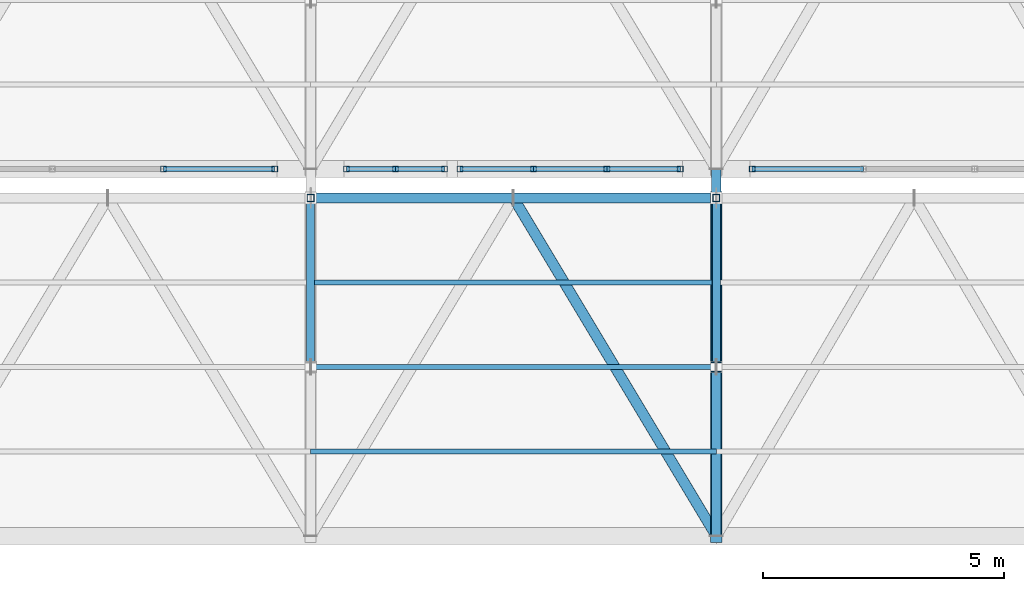
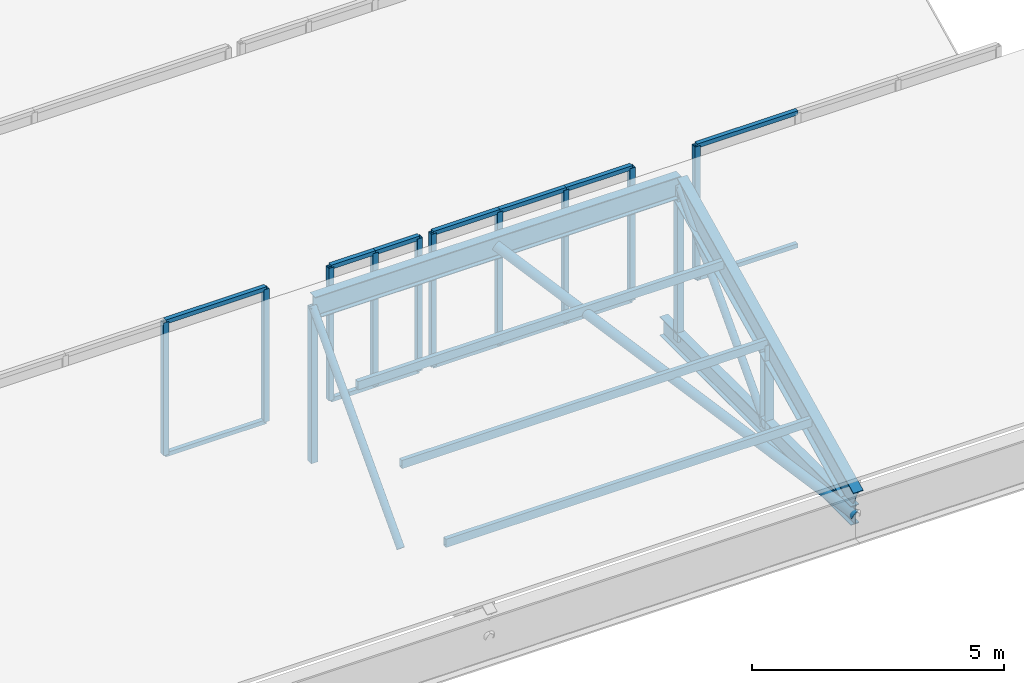
# One storey, part 24 of 57: 36 members, 4 elements without a shape of their own.
"""IFC4 building model written with IfcOpenShell, lengths in metres."""

from ifc_helpers import new_model, si_unit, direction, frame, origin, origin_2d, place, context, subcontext, project, spatial, hollow_rectangle, hollow_circle, i_section, extrude, material, material_profile, profile_set, type_object, element, aggregate, save


model = new_model("IFC4")

# Units and contexts
model_context = context("Model", 3, precision=1e-05, world=origin(), true_north=direction((0.0, 1.0)))
body_context = subcontext(model_context, "Body", "Model", "MODEL_VIEW")
ifc_project = project(units=[si_unit("LENGTHUNIT", "METRE"), si_unit("AREAUNIT", "SQUARE_METRE"), si_unit("VOLUMEUNIT", "CUBIC_METRE"), si_unit("PLANEANGLEUNIT", "RADIAN"), si_unit("MASSUNIT", "GRAM", prefix="KILO")], contexts=[model_context])

# Site, building, storey
site_placement = place(None, origin())
site = spatial("IfcSite", under=ifc_project, at=site_placement, CompositionType="ELEMENT")
building_placement = place(site_placement, origin())
building = spatial("IfcBuilding", under=site, at=building_placement, Name="Zuvorla Pavilion Media Centre", CompositionType="ELEMENT")
storey_placement = place(building_placement, frame((0.0, 0.0, 18.0)))
storey = spatial("IfcBuildingStorey", under=building, at=storey_placement, Name="L04", CompositionType="ELEMENT", Elevation=18.0)

# Curtain wall, members
ifc_material_1 = material(Name="Unitised anodised aluminium and solar glass curtain wall", Category="aluminium")
curtain_wall_type_1 = type_object("IfcCurtainWallType", Name="CW-SYS-92", PredefinedType="USERDEFINED", material=ifc_material_1)
curtain_wall_1_placement = place(storey_placement, origin())
curtain_wall_1 = element("IfcCurtainWall", 1, at=curtain_wall_1_placement, inside=storey, type_object=curtain_wall_type_1, Name="L04 curtain wall CW92 226", ObjectType="CURTAIN WALL", PredefinedType="USERDEFINED")
ifc_material_2 = material(Name="Anodised aluminium 6063-T6", Category="aluminium")
ifc_material_profile_1 = material_profile(ifc_material_2, hollow_rectangle(XDim=0.1201171875, YDim=0.1201171875, WallThickness=0.0048828125, at=origin_2d()), Name="ALU MULL 120x120")
ifc_profile_set_1 = profile_set([ifc_material_profile_1], Name="Anodised aluminium 6063-T6")
member_type_1 = type_object("IfcMemberType", Name="CW-MULL-120", PredefinedType="MULLION", material=ifc_profile_set_1)
member_1_placement = place(storey_placement, frame((139.351806640625, 13.60009765625, 0.0), z_axis=(0.0, 0.0, 1.0), x_axis=(1.0, 0.0, 0.0)))
member_1 = element("IfcMember", 2, at=member_1_placement, type_object=member_type_1, Name="CW92 mullion 3", PredefinedType="MULLION", context=body_context, shape_type="SweptSolid", body=[
    extrude(hollow_rectangle(XDim=0.1201171875, YDim=0.1201171875, WallThickness=0.0048828125, at=origin_2d()), origin(), (0.0, 0.0, 1.0), 3.219970703125),
])
member_2_placement = place(storey_placement, frame((141.65576171875, 13.60009765625, 0.0), z_axis=(0.0, 0.0, 1.0), x_axis=(1.0, 0.0, 0.0)))
member_2 = element("IfcMember", 3, at=member_2_placement, type_object=member_type_1, Name="CW92 mullion 4", PredefinedType="MULLION", context=body_context, shape_type="SweptSolid", body=[
    extrude(hollow_rectangle(XDim=0.1201171875, YDim=0.1201171875, WallThickness=0.0048828125, at=origin_2d()), origin(), (0.0, 0.0, 1.0), 3.219970703125),
])

curtain_wall_type_2 = type_object("IfcCurtainWallType", Name="CW-SYS-93", PredefinedType="USERDEFINED", material=ifc_material_1)
curtain_wall_2_placement = place(storey_placement, origin())
curtain_wall_2 = element("IfcCurtainWall", 4, at=curtain_wall_2_placement, inside=storey, type_object=curtain_wall_type_2, Name="L04 curtain wall CW93 227", ObjectType="CURTAIN WALL", PredefinedType="USERDEFINED")
member_3_placement = place(storey_placement, frame((143.144287109375, 13.60009765625, 0.0), z_axis=(0.0, 0.0, 1.0), x_axis=(1.0, 0.0, 0.0)))
member_3 = element("IfcMember", 5, at=member_3_placement, type_object=member_type_1, Name="CW93 mullion 1", PredefinedType="MULLION", context=body_context, shape_type="SweptSolid", body=[
    extrude(hollow_rectangle(XDim=0.1201171875, YDim=0.1201171875, WallThickness=0.0048828125, at=origin_2d()), origin(), (0.0, 0.0, 1.0), 3.219970703125),
])
member_4_placement = place(storey_placement, frame((144.15869140625, 13.60009765625, 0.0), z_axis=(0.0, 0.0, 1.0), x_axis=(1.0, 0.0, 0.0)))
member_4 = element("IfcMember", 6, at=member_4_placement, type_object=member_type_1, Name="CW93 mullion 2", PredefinedType="MULLION", context=body_context, shape_type="SweptSolid", body=[
    extrude(hollow_rectangle(XDim=0.1201171875, YDim=0.1201171875, WallThickness=0.0048828125, at=origin_2d()), origin(), (0.0, 0.0, 1.0), 3.219970703125),
])
member_5_placement = place(storey_placement, frame((145.17333984375, 13.60009765625, 0.0), z_axis=(0.0, 0.0, 1.0), x_axis=(1.0, 0.0, 0.0)))
member_5 = element("IfcMember", 7, at=member_5_placement, type_object=member_type_1, Name="CW93 mullion 3", PredefinedType="MULLION", context=body_context, shape_type="SweptSolid", body=[
    extrude(hollow_rectangle(XDim=0.1201171875, YDim=0.1201171875, WallThickness=0.0048828125, at=origin_2d()), origin(), (0.0, 0.0, 1.0), 3.219970703125),
])

curtain_wall_type_3 = type_object("IfcCurtainWallType", Name="CW-SYS-94", PredefinedType="USERDEFINED", material=ifc_material_1)
curtain_wall_3_placement = place(storey_placement, origin())
curtain_wall_3 = element("IfcCurtainWall", 8, at=curtain_wall_3_placement, inside=storey, type_object=curtain_wall_type_3, Name="L04 curtain wall CW94 228", ObjectType="CURTAIN WALL", PredefinedType="USERDEFINED")
member_6_placement = place(storey_placement, frame((145.493408203125, 13.60009765625, 0.0), z_axis=(0.0, 0.0, 1.0), x_axis=(1.0, 0.0, 0.0)))
member_6 = element("IfcMember", 9, at=member_6_placement, type_object=member_type_1, Name="CW94 mullion 1", PredefinedType="MULLION", context=body_context, shape_type="SweptSolid", body=[
    extrude(hollow_rectangle(XDim=0.1201171875, YDim=0.1201171875, WallThickness=0.0048828125, at=origin_2d()), origin(), (0.0, 0.0, 1.0), 3.219970703125),
])
member_7_placement = place(storey_placement, frame((147.01416015625, 13.60009765625, 0.0), z_axis=(0.0, 0.0, 1.0), x_axis=(1.0, 0.0, 0.0)))
member_7 = element("IfcMember", 10, at=member_7_placement, type_object=member_type_1, Name="CW94 mullion 2", PredefinedType="MULLION", context=body_context, shape_type="SweptSolid", body=[
    extrude(hollow_rectangle(XDim=0.1201171875, YDim=0.1201171875, WallThickness=0.0048828125, at=origin_2d()), origin(), (0.0, 0.0, 1.0), 3.219970703125),
])
member_8_placement = place(storey_placement, frame((148.534912109375, 13.60009765625, 0.0), z_axis=(0.0, 0.0, 1.0), x_axis=(1.0, 0.0, 0.0)))
member_8 = element("IfcMember", 11, at=member_8_placement, type_object=member_type_1, Name="CW94 mullion 3", PredefinedType="MULLION", context=body_context, shape_type="SweptSolid", body=[
    extrude(hollow_rectangle(XDim=0.1201171875, YDim=0.1201171875, WallThickness=0.0048828125, at=origin_2d()), origin(), (0.0, 0.0, 1.0), 3.219970703125),
])
member_9_placement = place(storey_placement, frame((150.0556640625, 13.60009765625, 0.0), z_axis=(0.0, 0.0, 1.0), x_axis=(1.0, 0.0, 0.0)))
member_9 = element("IfcMember", 12, at=member_9_placement, type_object=member_type_1, Name="CW94 mullion 4", PredefinedType="MULLION", context=body_context, shape_type="SweptSolid", body=[
    extrude(hollow_rectangle(XDim=0.1201171875, YDim=0.1201171875, WallThickness=0.0048828125, at=origin_2d()), origin(), (0.0, 0.0, 1.0), 3.219970703125),
])

# Curtain wall, member
curtain_wall_4_placement = place(storey_placement, origin())
curtain_wall_4 = element("IfcCurtainWall", 13, at=curtain_wall_4_placement, inside=storey, type_object=curtain_wall_type_1, Name="L04 curtain wall CW92 229", ObjectType="CURTAIN WALL", PredefinedType="USERDEFINED")
member_10_placement = place(storey_placement, frame((151.544189453125, 13.60009765625, 0.0), z_axis=(0.0, 0.0, 1.0), x_axis=(1.0, 0.0, 0.0)))
member_10 = element("IfcMember", 14, at=member_10_placement, type_object=member_type_1, Name="CW92 mullion 1", PredefinedType="MULLION", context=body_context, shape_type="SweptSolid", body=[
    extrude(hollow_rectangle(XDim=0.1201171875, YDim=0.1201171875, WallThickness=0.0048828125, at=origin_2d()), origin(), (0.0, 0.0, 1.0), 3.219970703125),
])

# Member
ifc_material_profile_2 = material_profile(ifc_material_2, hollow_rectangle(XDim=0.10009765625, YDim=0.10009765625, WallThickness=0.00439453125, at=origin_2d()), Name="ALU TRAN 100x100")
ifc_profile_set_2 = profile_set([ifc_material_profile_2], Name="Anodised aluminium 6063-T6")
member_type_2 = type_object("IfcMemberType", Name="CW-TRAN-100", PredefinedType="USERDEFINED", material=ifc_profile_set_2)
member_11_placement = place(storey_placement, frame((139.351806640625, 13.60009765625, 0.0), z_axis=(1.0, 0.0, 0.0), x_axis=(0.0, 1.0, 0.0)))
member_11 = element("IfcMember", 15, at=member_11_placement, type_object=member_type_2, Name="CW92 transom 3.1", ObjectType="TRANSOM", PredefinedType="USERDEFINED", context=body_context, shape_type="SweptSolid", body=[
    extrude(hollow_rectangle(XDim=0.10009765625, YDim=0.10009765625, WallThickness=0.00439453125, at=origin_2d()), origin(), (0.0, 0.0, 1.0), 2.303955078125),
])

member_12_placement = place(storey_placement, frame((139.351806640625, 13.60009765625, 3.219970703125), z_axis=(1.0, 0.0, 0.0), x_axis=(0.0, 1.0, 0.0)))
member_12 = element("IfcMember", 16, at=member_12_placement, type_object=member_type_2, Name="CW92 transom 3.2", ObjectType="TRANSOM", PredefinedType="USERDEFINED", context=body_context, shape_type="SweptSolid", body=[
    extrude(hollow_rectangle(XDim=0.10009765625, YDim=0.10009765625, WallThickness=0.00439453125, at=origin_2d()), origin(), (0.0, 0.0, 1.0), 2.303955078125),
])

aggregate(curtain_wall_1, [member_1, member_2, member_11, member_12])

member_13_placement = place(storey_placement, frame((143.144287109375, 13.60009765625, 0.0), z_axis=(1.0, 0.0, 0.0), x_axis=(0.0, 1.0, 0.0)))
member_13 = element("IfcMember", 17, at=member_13_placement, type_object=member_type_2, Name="CW93 transom 1.1", ObjectType="TRANSOM", PredefinedType="USERDEFINED", context=body_context, shape_type="SweptSolid", body=[
    extrude(hollow_rectangle(XDim=0.10009765625, YDim=0.10009765625, WallThickness=0.00439453125, at=origin_2d()), origin(), (0.0, 0.0, 1.0), 1.014404296875),
])

member_14_placement = place(storey_placement, frame((143.144287109375, 13.60009765625, 3.219970703125), z_axis=(1.0, 0.0, 0.0), x_axis=(0.0, 1.0, 0.0)))
member_14 = element("IfcMember", 18, at=member_14_placement, type_object=member_type_2, Name="CW93 transom 1.2", ObjectType="TRANSOM", PredefinedType="USERDEFINED", context=body_context, shape_type="SweptSolid", body=[
    extrude(hollow_rectangle(XDim=0.10009765625, YDim=0.10009765625, WallThickness=0.00439453125, at=origin_2d()), origin(), (0.0, 0.0, 1.0), 1.014404296875),
])

member_15_placement = place(storey_placement, frame((144.15869140625, 13.60009765625, 0.0), z_axis=(1.0, 0.0, 0.0), x_axis=(0.0, 1.0, 0.0)))
member_15 = element("IfcMember", 19, at=member_15_placement, type_object=member_type_2, Name="CW93 transom 2.1", ObjectType="TRANSOM", PredefinedType="USERDEFINED", context=body_context, shape_type="SweptSolid", body=[
    extrude(hollow_rectangle(XDim=0.10009765625, YDim=0.10009765625, WallThickness=0.00439453125, at=origin_2d()), origin(), (0.0, 0.0, 1.0), 1.0146484375),
])

member_16_placement = place(storey_placement, frame((144.15869140625, 13.60009765625, 3.219970703125), z_axis=(1.0, 0.0, 0.0), x_axis=(0.0, 1.0, 0.0)))
member_16 = element("IfcMember", 20, at=member_16_placement, type_object=member_type_2, Name="CW93 transom 2.2", ObjectType="TRANSOM", PredefinedType="USERDEFINED", context=body_context, shape_type="SweptSolid", body=[
    extrude(hollow_rectangle(XDim=0.10009765625, YDim=0.10009765625, WallThickness=0.00439453125, at=origin_2d()), origin(), (0.0, 0.0, 1.0), 1.0146484375),
])

aggregate(curtain_wall_2, [member_3, member_4, member_5, member_13, member_14, member_15, member_16])

member_17_placement = place(storey_placement, frame((145.493408203125, 13.60009765625, 0.0), z_axis=(1.0, 0.0, 0.0), x_axis=(0.0, 1.0, 0.0)))
member_17 = element("IfcMember", 21, at=member_17_placement, type_object=member_type_2, Name="CW94 transom 1.1", ObjectType="TRANSOM", PredefinedType="USERDEFINED", context=body_context, shape_type="SweptSolid", body=[
    extrude(hollow_rectangle(XDim=0.10009765625, YDim=0.10009765625, WallThickness=0.00439453125, at=origin_2d()), origin(), (0.0, 0.0, 1.0), 1.520751953125),
])

member_18_placement = place(storey_placement, frame((145.493408203125, 13.60009765625, 3.219970703125), z_axis=(1.0, 0.0, 0.0), x_axis=(0.0, 1.0, 0.0)))
member_18 = element("IfcMember", 22, at=member_18_placement, type_object=member_type_2, Name="CW94 transom 1.2", ObjectType="TRANSOM", PredefinedType="USERDEFINED", context=body_context, shape_type="SweptSolid", body=[
    extrude(hollow_rectangle(XDim=0.10009765625, YDim=0.10009765625, WallThickness=0.00439453125, at=origin_2d()), origin(), (0.0, 0.0, 1.0), 1.520751953125),
])

member_19_placement = place(storey_placement, frame((147.01416015625, 13.60009765625, 0.0), z_axis=(1.0, 0.0, 0.0), x_axis=(0.0, 1.0, 0.0)))
member_19 = element("IfcMember", 23, at=member_19_placement, type_object=member_type_2, Name="CW94 transom 2.1", ObjectType="TRANSOM", PredefinedType="USERDEFINED", context=body_context, shape_type="SweptSolid", body=[
    extrude(hollow_rectangle(XDim=0.10009765625, YDim=0.10009765625, WallThickness=0.00439453125, at=origin_2d()), origin(), (0.0, 0.0, 1.0), 1.520751953125),
])

member_20_placement = place(storey_placement, frame((147.01416015625, 13.60009765625, 3.219970703125), z_axis=(1.0, 0.0, 0.0), x_axis=(0.0, 1.0, 0.0)))
member_20 = element("IfcMember", 24, at=member_20_placement, type_object=member_type_2, Name="CW94 transom 2.2", ObjectType="TRANSOM", PredefinedType="USERDEFINED", context=body_context, shape_type="SweptSolid", body=[
    extrude(hollow_rectangle(XDim=0.10009765625, YDim=0.10009765625, WallThickness=0.00439453125, at=origin_2d()), origin(), (0.0, 0.0, 1.0), 1.520751953125),
])

member_21_placement = place(storey_placement, frame((148.534912109375, 13.60009765625, 0.0), z_axis=(1.0, 0.0, 0.0), x_axis=(0.0, 1.0, 0.0)))
member_21 = element("IfcMember", 25, at=member_21_placement, type_object=member_type_2, Name="CW94 transom 3.1", ObjectType="TRANSOM", PredefinedType="USERDEFINED", context=body_context, shape_type="SweptSolid", body=[
    extrude(hollow_rectangle(XDim=0.10009765625, YDim=0.10009765625, WallThickness=0.00439453125, at=origin_2d()), origin(), (0.0, 0.0, 1.0), 1.520751953125),
])

member_22_placement = place(storey_placement, frame((148.534912109375, 13.60009765625, 3.219970703125), z_axis=(1.0, 0.0, 0.0), x_axis=(0.0, 1.0, 0.0)))
member_22 = element("IfcMember", 26, at=member_22_placement, type_object=member_type_2, Name="CW94 transom 3.2", ObjectType="TRANSOM", PredefinedType="USERDEFINED", context=body_context, shape_type="SweptSolid", body=[
    extrude(hollow_rectangle(XDim=0.10009765625, YDim=0.10009765625, WallThickness=0.00439453125, at=origin_2d()), origin(), (0.0, 0.0, 1.0), 1.520751953125),
])

aggregate(curtain_wall_3, [member_6, member_7, member_8, member_9, member_17, member_18, member_19, member_20, member_21, member_22])

member_23_placement = place(storey_placement, frame((151.544189453125, 13.60009765625, 0.0), z_axis=(1.0, 0.0, 0.0), x_axis=(0.0, 1.0, 0.0)))
member_23 = element("IfcMember", 27, at=member_23_placement, type_object=member_type_2, Name="CW92 transom 1.1", ObjectType="TRANSOM", PredefinedType="USERDEFINED", context=body_context, shape_type="SweptSolid", body=[
    extrude(hollow_rectangle(XDim=0.10009765625, YDim=0.10009765625, WallThickness=0.00439453125, at=origin_2d()), origin(), (0.0, 0.0, 1.0), 2.303955078125),
])

member_24_placement = place(storey_placement, frame((151.544189453125, 13.60009765625, 3.219970703125), z_axis=(1.0, 0.0, 0.0), x_axis=(0.0, 1.0, 0.0)))
member_24 = element("IfcMember", 28, at=member_24_placement, type_object=member_type_2, Name="CW92 transom 1.2", ObjectType="TRANSOM", PredefinedType="USERDEFINED", context=body_context, shape_type="SweptSolid", body=[
    extrude(hollow_rectangle(XDim=0.10009765625, YDim=0.10009765625, WallThickness=0.00439453125, at=origin_2d()), origin(), (0.0, 0.0, 1.0), 2.303955078125),
])

aggregate(curtain_wall_4, [member_10, member_23, member_24])

# Members
ifc_material_3 = material(Name="Steel S355", Category="steel")
ifc_material_profile_3 = material_profile(ifc_material_3, hollow_circle(Radius=0.084228515625, WallThickness=0.008056640625, at=origin_2d()), Name="CHS 168.3x8")
ifc_profile_set_3 = profile_set([ifc_material_profile_3], Name="Steel S355")
member_type_3 = type_object("IfcMemberType", Name="MEM-BRC-CHS168", PredefinedType="BRACE", material=ifc_profile_set_3)
for number, where, z_axis, x_axis, name in (
    (29, (142.39990234375, 9.5, -0.8798828125), (0.0, 0.681156069412, 0.732138244529), (-1.0, 0.0, 0.0), "L04 diagonal brace TB03 516"),
    (30, (150.800048828125, 9.5, -0.8798828125), (0.0, 0.681156069412, 0.732138244529), (-1.0, 0.0, 0.0), "L04 diagonal brace TB03 521"),
):
    element("IfcMember", number, at=place(storey_placement, frame(where, z_axis=z_axis, x_axis=x_axis)), inside=storey, type_object=member_type_3, Name=name, PredefinedType="BRACE", context=body_context, shape_type="SweptSolid", body=[
        extrude(hollow_circle(Radius=0.084228515625, WallThickness=0.008056640625, at=origin_2d()), origin(), (0.0, 0.0, 1.0), 5.138427734375),
    ])
ifc_material_profile_4 = material_profile(ifc_material_3, hollow_circle(Radius=0.109619140625, WallThickness=0.010009765625, at=origin_2d()), Name="CHS 219.1x10")
ifc_profile_set_4 = profile_set([ifc_material_profile_4], Name="Steel S355")
member_type_4 = type_object("IfcMemberType", Name="MEM-BRC-CHS219", PredefinedType="BRACE", material=ifc_profile_set_4)
member_25_placement = place(storey_placement, frame((146.60009765625, 13.0, 2.882080078125), z_axis=(0.46726169892, -0.778778552081, -0.418533716135), x_axis=(0.857495564561, 0.514491357322, 0.0)))
element("IfcMember", 31, at=member_25_placement, inside=storey, type_object=member_type_4, Name="L04 diagonal brace TB02 548", PredefinedType="BRACE", context=body_context, shape_type="SweptSolid", body=[
    extrude(hollow_circle(Radius=0.109619140625, WallThickness=0.010009765625, at=origin_2d()), origin(), (0.0, 0.0, 1.0), 8.988525390625),
])
ifc_material_profile_5 = material_profile(ifc_material_3, i_section(OverallWidth=0.19140625, OverallDepth=0.4599609375, WebThickness=0.010009765625, FlangeThickness=0.01611328125, FilletRadius=0.01025390625, at=origin_2d()), Name="UB 457x191x82")
ifc_profile_set_5 = profile_set([ifc_material_profile_5], Name="Steel S355")
member_type_5 = type_object("IfcMemberType", Name="MEM-CHD-UB457", PredefinedType="CHORD", material=ifc_profile_set_5)
member_26_placement = place(storey_placement, frame((150.800048828125, 6.0, -0.8798828125), z_axis=(0.0, 1.0, 0.0), x_axis=(-1.0, 0.0, 0.0)))
element("IfcMember", 32, at=member_26_placement, inside=storey, type_object=member_type_5, Name="L04 chord TC03 518", PredefinedType="CHORD", context=body_context, shape_type="SweptSolid", body=[
    extrude(i_section(OverallWidth=0.19140625, OverallDepth=0.4599609375, WebThickness=0.010009765625, FlangeThickness=0.01611328125, FilletRadius=0.01025390625, at=origin_2d()), origin(), (0.0, 0.0, 1.0), 7.60009765625),
])
ifc_material_profile_6 = material_profile(ifc_material_3, i_section(OverallWidth=0.2099609375, OverallDepth=0.53662109375, WebThickness=0.0107421875, FlangeThickness=0.017333984375, FilletRadius=0.0126953125, at=origin_2d()), Name="UB 533x210x101")
ifc_profile_set_6 = profile_set([ifc_material_profile_6], Name="Steel S355")
member_type_6 = type_object("IfcMemberType", Name="MEM-CHD-UB533", PredefinedType="CHORD", material=ifc_profile_set_6)
member_27_placement = place(storey_placement, frame((142.39990234375, 13.0, 2.882080078125), z_axis=(1.0, 0.0, 0.0), x_axis=(0.0, 1.0, 0.0)))
element("IfcMember", 33, at=member_27_placement, inside=storey, type_object=member_type_6, Name="L04 chord TC02 546", PredefinedType="CHORD", context=body_context, shape_type="SweptSolid", body=[
    extrude(i_section(OverallWidth=0.2099609375, OverallDepth=0.53662109375, WebThickness=0.0107421875, FlangeThickness=0.017333984375, FilletRadius=0.0126953125, at=origin_2d()), origin(), (0.0, 0.0, 1.0), 8.400146484375),
])
ifc_material_profile_7 = material_profile(ifc_material_3, i_section(OverallWidth=0.22900390625, OverallDepth=0.6123046875, WebThickness=0.011962890625, FlangeThickness=0.01953125, FilletRadius=0.0126953125, at=origin_2d()), Name="UB 610x229x125")
ifc_profile_set_7 = profile_set([ifc_material_profile_7], Name="Steel S355")
member_type_7 = type_object("IfcMemberType", Name="MEM-CHD-UB610", PredefinedType="CHORD", material=ifc_profile_set_7)
member_28_placement = place(storey_placement, frame((150.800048828125, 6.0, -0.517822265625), z_axis=(0.0, 0.899513090263, 0.436893809117), x_axis=(-1.0, 0.0, 0.0)))
element("IfcMember", 34, at=member_28_placement, inside=storey, type_object=member_type_7, Name="L04 chord TC01 519", PredefinedType="CHORD", context=body_context, shape_type="SweptSolid", body=[
    extrude(i_section(OverallWidth=0.22900390625, OverallDepth=0.6123046875, WebThickness=0.011962890625, FlangeThickness=0.01953125, FilletRadius=0.0126953125, at=origin_2d()), origin(), (0.0, 0.0, 1.0), 7.781982421875),
])
ifc_material_profile_8 = material_profile(ifc_material_3, hollow_rectangle(XDim=0.10009765625, YDim=0.199951171875, WallThickness=0.008056640625, at=origin_2d()), Name="RHS 200x100x8")
ifc_profile_set_8 = profile_set([ifc_material_profile_8], Name="Steel S355")
member_type_8 = type_object("IfcMemberType", Name="MEM-PUR-RHS200", PredefinedType="PURLIN", material=ifc_profile_set_8)
for number, where, z_axis, x_axis, name in (
    (35, (142.39990234375, 7.75, 0.33203125), (1.0, 0.0, 0.0), (0.0, 1.0, 0.0), "L04 purlin PR01 549"),
    (36, (142.39990234375, 9.5, 1.18212890625), (1.0, 0.0, 0.0), (0.0, 1.0, 0.0), "L04 purlin PR01 550"),
    (37, (142.39990234375, 11.25, 2.031982421875), (1.0, 0.0, 0.0), (0.0, 1.0, 0.0), "L04 purlin PR01 551"),
):
    element("IfcMember", number, at=place(storey_placement, frame(where, z_axis=z_axis, x_axis=x_axis)), inside=storey, type_object=member_type_8, Name=name, PredefinedType="PURLIN", context=body_context, shape_type="SweptSolid", body=[
        extrude(hollow_rectangle(XDim=0.10009765625, YDim=0.199951171875, WallThickness=0.008056640625, at=origin_2d()), origin(), (0.0, 0.0, 1.0), 8.400146484375),
    ])
ifc_material_profile_9 = material_profile(ifc_material_3, hollow_rectangle(XDim=0.14990234375, YDim=0.14990234375, WallThickness=0.008056640625, at=origin_2d()), Name="SHS 150x150x8")
ifc_profile_set_9 = profile_set([ifc_material_profile_9], Name="Steel S355")
member_type_9 = type_object("IfcMemberType", Name="MEM-STR-SHS150", PredefinedType="STRUT", material=ifc_profile_set_9)
for number, where, z_axis, x_axis, name in (
    (38, (142.39990234375, 13.0, -0.8798828125), (0.0, 0.0, 1.0), (1.0, 0.0, 0.0), "L04 vertical strut TS01 515"),
    (39, (150.800048828125, 13.0, -0.8798828125), (0.0, 0.0, 1.0), (1.0, 0.0, 0.0), "L04 vertical strut TS01 520"),
):
    element("IfcMember", number, at=place(storey_placement, frame(where, z_axis=z_axis, x_axis=x_axis)), inside=storey, type_object=member_type_9, Name=name, PredefinedType="STRUT", context=body_context, shape_type="SweptSolid", body=[
        extrude(hollow_rectangle(XDim=0.14990234375, YDim=0.14990234375, WallThickness=0.008056640625, at=origin_2d()), origin(), (0.0, 0.0, 1.0), 3.761962890625),
    ])
ifc_material_profile_10 = material_profile(ifc_material_3, i_section(OverallWidth=0.205810546875, OverallDepth=0.209716796875, WebThickness=0.009521484375, FlangeThickness=0.01416015625, FilletRadius=0.01025390625, at=origin_2d()), Name="UC 203x203x60")
ifc_profile_set_10 = profile_set([ifc_material_profile_10], Name="Steel S355")
member_type_10 = type_object("IfcMemberType", Name="MEM-STR-UC203", PredefinedType="STRUT", material=ifc_profile_set_10)
member_29_placement = place(storey_placement, frame((150.800048828125, 9.5, -0.8798828125), z_axis=(0.0, 0.0, 1.0), x_axis=(1.0, 0.0, 0.0)))
element("IfcMember", 40, at=member_29_placement, inside=storey, type_object=member_type_10, Name="L04 vertical strut TS02 522", PredefinedType="STRUT", context=body_context, shape_type="SweptSolid", body=[
    extrude(i_section(OverallWidth=0.205810546875, OverallDepth=0.209716796875, WebThickness=0.009521484375, FlangeThickness=0.01416015625, FilletRadius=0.01025390625, at=origin_2d()), origin(), (0.0, 0.0, 1.0), 2.06201171875),
])

save(model, "model.ifc")
